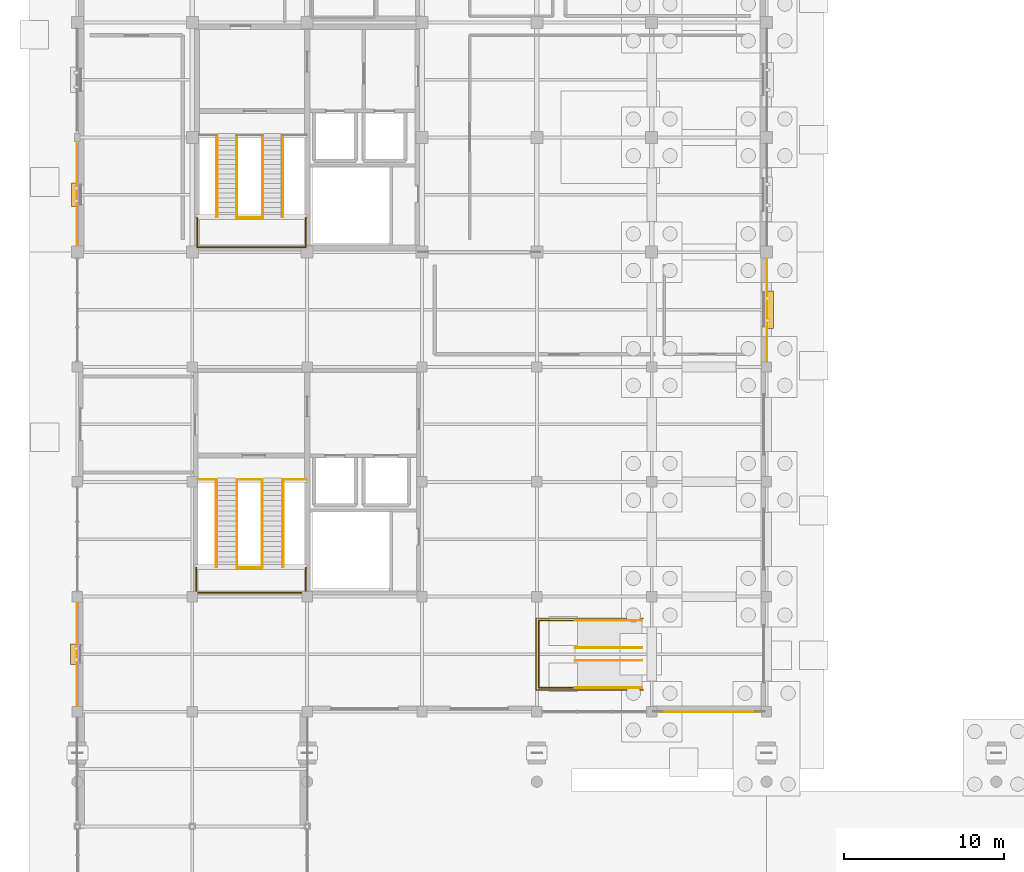
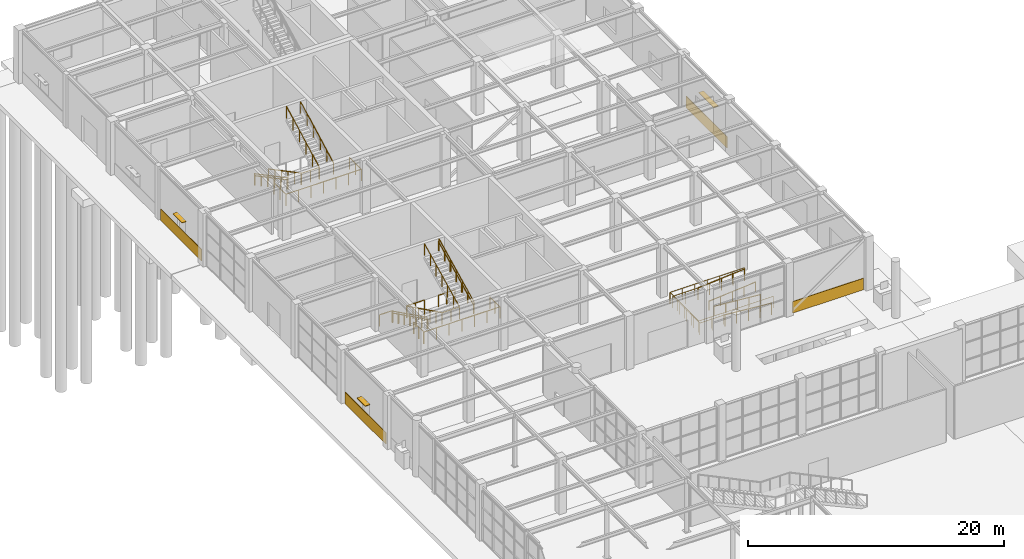
# One storey, part 72 of 75: 24 railings, 4 coverings, 3 shading devices.
"""IFC4 building model written with IfcOpenShell, lengths in metres."""

from ifc_helpers import new_model, si_unit, direction, frame, origin, origin_2d, place, context, subcontext, project, spatial, rectangle, circle, extrude, material, layer, layer_set, type_object, element, save


model = new_model("IFC4")

# Units and contexts
model_context = context("Model", 3, precision=1e-05, world=origin(), true_north=direction((0.0, 1.0)))
body_context = subcontext(model_context, "Body", "Model", "MODEL_VIEW")
ifc_project = project(units=[si_unit("LENGTHUNIT", "METRE"), si_unit("AREAUNIT", "SQUARE_METRE"), si_unit("VOLUMEUNIT", "CUBIC_METRE"), si_unit("PLANEANGLEUNIT", "RADIAN"), si_unit("MASSUNIT", "GRAM", prefix="KILO")], contexts=[model_context])

# Site, building, storey
site_placement = place(None, origin())
site = spatial("IfcSite", under=ifc_project, at=site_placement, CompositionType="ELEMENT")
building_placement = place(site_placement, origin())
building = spatial("IfcBuilding", under=site, at=building_placement, Name="Leyfeld Transit Interchange", CompositionType="ELEMENT")
storey_placement = place(building_placement, origin())
storey = spatial("IfcBuildingStorey", under=building, at=storey_placement, Name="L00", CompositionType="ELEMENT", Elevation=0.0)

# Coverings
ifc_material_1 = material(Name="Leitha limestone ashlar - Insulated", Category="masonry")
ifc_layer_1 = layer(ifc_material_1, 0.044921875, Name="Leitha limestone ashlar - Insulated")
ifc_layer_set_1 = layer_set([ifc_layer_1], Name="Leitha limestone ashlar - Insulated")
covering_type = type_object("IfcCoveringType", Name="COV-CLD-STN", PredefinedType="CLADDING", material=ifc_layer_set_1)
for number, where, z_axis, x_axis, name in (
    (1, (-0.02197265625, 68.39990234375, 0.0), (0.0, 0.0, 1.0), (0.0, 1.0, 0.0), "Limestone Plinth Cladding 002"),
    (2, (-0.02197265625, 97.199951171875, 0.0), (0.0, 0.0, 1.0), (0.0, 1.0, 0.0), "Limestone Plinth Cladding 003"),
    (3, (43.221923828125, 90.0, 0.0), (0.0, 0.0, 1.0), (0.0, -1.0, 0.0), "Limestone Plinth Cladding 011"),
    (4, (39.60009765625, 64.778076171875, 0.0), (0.0, 0.0, 1.0), (-1.0, 0.0, 0.0), "Limestone Plinth Cladding 012"),
):
    element("IfcCovering", number, at=place(storey_placement, frame(where, z_axis=z_axis, x_axis=x_axis)), inside=storey, type_object=covering_type, Name=name, PredefinedType="CLADDING", context=body_context, shape_type="SweptSolid", body=[
        extrude(rectangle(XDim=6.39990234375, YDim=0.044921875, at=origin_2d()), origin(), (0.0, 0.0, 1.0), 1.10009765625),
    ])

# Railings
ifc_material_2 = material(Name="Stainless steel EN 1.4404", Category="steel")
railing_type_1 = type_object("IfcRailingType", Name="RL-STR-GRD-1100", PredefinedType="GUARDRAIL", material=ifc_material_2)
railing_1_placement = place(storey_placement, frame((9.985107421875, 95.760009765625, 2.699951171875)))
element("IfcRailing", 5, at=railing_1_placement, inside=storey, type_object=railing_type_1, Name="Stair ST-01 L00 Half-Landing Inner Guard", PredefinedType="GUARDRAIL", context=body_context, shape_type="SweptSolid", body=[
    extrude(circle(Radius=0.02392578125, at=origin_2d()), frame((0.0, 0.0, 1.09619140625), z_axis=(1.0, 0.0, 0.0), x_axis=(0.0, 1.0, 0.0)), (0.0, 0.0, 1.0), 1.6298828125),
    extrude(circle(Radius=0.02099609375, at=origin_2d()), origin(), (0.0, 0.0, 1.0), 1.072021484375),
    extrude(circle(Radius=0.02099609375, at=origin_2d()), frame((0.81494140625, 0.0, 0.0)), (0.0, 0.0, 1.0), 1.072021484375),
    extrude(circle(Radius=0.02099609375, at=origin_2d()), frame((1.6298828125, 0.0, 0.0)), (0.0, 0.0, 1.0), 1.072021484375),
])
railing_2_placement = place(storey_placement, frame((7.5048828125, 95.760009765625, 2.699951171875)))
element("IfcRailing", 6, at=railing_2_placement, inside=storey, type_object=railing_type_1, Name="Stair ST-01 L00 Half-Landing Perimeter Guard", PredefinedType="GUARDRAIL", context=body_context, shape_type="SweptSolid", body=[
    extrude(circle(Radius=0.02392578125, at=origin_2d()), frame((0.0, 0.0, 1.09619140625), z_axis=(0.0, -1.0, 0.0), x_axis=(1.0, 0.0, 0.0)), (0.0, 0.0, 1.0), 1.85498046875),
    extrude(circle(Radius=0.02392578125, at=origin_2d()), frame((0.0, -1.85498046875, 1.09619140625), z_axis=(1.0, 0.0, 0.0), x_axis=(0.0, 1.0, 0.0)), (0.0, 0.0, 1.0), 6.815185546875),
    extrude(circle(Radius=0.02392578125, at=origin_2d()), frame((6.815185546875, -1.85498046875, 1.09619140625), z_axis=(0.0, 1.0, 0.0), x_axis=(-1.0, 0.0, 0.0)), (0.0, 0.0, 1.0), 1.85498046875),
    extrude(circle(Radius=0.02099609375, at=origin_2d()), origin(), (0.0, 0.0, 1.0), 1.072021484375),
    extrude(circle(Radius=0.02099609375, at=origin_2d()), frame((0.0, -0.927490234375, 0.0)), (0.0, 0.0, 1.0), 1.072021484375),
    extrude(circle(Radius=0.02099609375, at=origin_2d()), frame((0.0, -1.85498046875, 0.0)), (0.0, 0.0, 1.0), 1.072021484375),
    extrude(circle(Radius=0.02099609375, at=origin_2d()), frame((1.1357421875, -1.85498046875, 0.0)), (0.0, 0.0, 1.0), 1.072021484375),
    extrude(circle(Radius=0.02099609375, at=origin_2d()), frame((2.271728515625, -1.85498046875, 0.0)), (0.0, 0.0, 1.0), 1.072021484375),
    extrude(circle(Radius=0.02099609375, at=origin_2d()), frame((3.40771484375, -1.85498046875, 0.0)), (0.0, 0.0, 1.0), 1.072021484375),
    extrude(circle(Radius=0.02099609375, at=origin_2d()), frame((4.54345703125, -1.85498046875, 0.0)), (0.0, 0.0, 1.0), 1.072021484375),
    extrude(circle(Radius=0.02099609375, at=origin_2d()), frame((5.67919921875, -1.85498046875, 0.0)), (0.0, 0.0, 1.0), 1.072021484375),
    extrude(circle(Radius=0.02099609375, at=origin_2d()), frame((6.815185546875, -1.85498046875, 0.0)), (0.0, 0.0, 1.0), 1.072021484375),
    extrude(circle(Radius=0.02099609375, at=origin_2d()), frame((6.815185546875, -0.927490234375, 0.0)), (0.0, 0.0, 1.0), 1.072021484375),
    extrude(circle(Radius=0.02099609375, at=origin_2d()), frame((6.815185546875, 0.0, 0.0)), (0.0, 0.0, 1.0), 1.072021484375),
])
for number, where, name in (
    (7, (9.985107421875, 100.89990234375, 0.0), "Stair ST-01 L00 F1 Inner Guard"),
    (8, (8.715087890625, 100.89990234375, 0.0), "Stair ST-01 L00 F1 Outer Guard"),
):
    element("IfcRailing", number, at=place(storey_placement, frame(where)), inside=storey, type_object=railing_type_1, Name=name, PredefinedType="GUARDRAIL", context=body_context, shape_type="SweptSolid", body=[
        extrude(circle(Radius=0.02392578125, at=origin_2d()), frame((0.0, 0.0, 1.09619140625), z_axis=(0.0, -0.883785858079, 0.467891608238), x_axis=(1.0, 0.0, 0.0)), (0.0, 0.0, 1.0), 5.7705078125),
        extrude(circle(Radius=0.02099609375, at=origin_2d()), origin(), (0.0, 0.0, 1.0), 1.072021484375),
        extrude(circle(Radius=0.02099609375, at=origin_2d()), frame((0.0, -1.02001953125, 0.5400390625)), (0.0, 0.0, 1.0), 1.072021484375),
        extrude(circle(Radius=0.02099609375, at=origin_2d()), frame((0.0, -2.0400390625, 1.080078125)), (0.0, 0.0, 1.0), 1.072021484375),
        extrude(circle(Radius=0.02099609375, at=origin_2d()), frame((0.0, -3.059814453125, 1.619873046875)), (0.0, 0.0, 1.0), 1.072021484375),
        extrude(circle(Radius=0.02099609375, at=origin_2d()), frame((0.0, -4.079833984375, 2.159912109375)), (0.0, 0.0, 1.0), 1.072021484375),
        extrude(circle(Radius=0.02099609375, at=origin_2d()), frame((0.0, -5.099853515625, 2.699951171875)), (0.0, 0.0, 1.0), 1.072021484375),
    ])
for number, where, name in (
    (9, (11.614990234375, 95.800048828125, 2.699951171875), "Stair ST-01 L00 F2 Inner Guard"),
    (10, (12.885009765625, 95.800048828125, 2.699951171875), "Stair ST-01 L00 F2 Outer Guard"),
):
    element("IfcRailing", number, at=place(storey_placement, frame(where)), inside=storey, type_object=railing_type_1, Name=name, PredefinedType="GUARDRAIL", context=body_context, shape_type="SweptSolid", body=[
        extrude(circle(Radius=0.02392578125, at=origin_2d()), frame((0.0, 0.0, 1.09619140625), z_axis=(0.0, 0.883785858079, 0.467891608238), x_axis=(-1.0, 0.0, 0.0)), (0.0, 0.0, 1.0), 5.7705078125),
        extrude(circle(Radius=0.02099609375, at=origin_2d()), origin(), (0.0, 0.0, 1.0), 1.072021484375),
        extrude(circle(Radius=0.02099609375, at=origin_2d()), frame((0.0, 1.02001953125, 0.5400390625)), (0.0, 0.0, 1.0), 1.072021484375),
        extrude(circle(Radius=0.02099609375, at=origin_2d()), frame((0.0, 2.0400390625, 1.080078125)), (0.0, 0.0, 1.0), 1.072021484375),
        extrude(circle(Radius=0.02099609375, at=origin_2d()), frame((0.0, 3.059814453125, 1.619873046875)), (0.0, 0.0, 1.0), 1.072021484375),
        extrude(circle(Radius=0.02099609375, at=origin_2d()), frame((0.0, 4.079833984375, 2.159912109375)), (0.0, 0.0, 1.0), 1.072021484375),
        extrude(circle(Radius=0.02099609375, at=origin_2d()), frame((0.0, 5.099853515625, 2.699951171875)), (0.0, 0.0, 1.0), 1.072021484375),
    ])
railing_3_placement = place(storey_placement, frame((7.570068359375, 79.35009765625, 0.0)))
element("IfcRailing", 11, at=railing_3_placement, inside=storey, type_object=railing_type_1, Name="Stair ST-03 Landing Guard FLW L00", PredefinedType="GUARDRAIL", context=body_context, shape_type="SweptSolid", body=[
    extrude(circle(Radius=0.02392578125, at=origin_2d()), frame((0.0, 0.0, 1.09619140625), z_axis=(1.0, 0.0, 0.0), x_axis=(0.0, 1.0, 0.0)), (0.0, 0.0, 1.0), 1.1298828125),
    extrude(circle(Radius=0.02099609375, at=origin_2d()), origin(), (0.0, 0.0, 1.0), 1.072021484375),
    extrude(circle(Radius=0.02099609375, at=origin_2d()), frame((1.1298828125, 0.0, 0.0)), (0.0, 0.0, 1.0), 1.072021484375),
])
railing_4_placement = place(storey_placement, frame((10.0, 79.35009765625, 0.0)))
element("IfcRailing", 12, at=railing_4_placement, inside=storey, type_object=railing_type_1, Name="Stair ST-03 Landing Guard EYE L00", PredefinedType="GUARDRAIL", context=body_context, shape_type="SweptSolid", body=[
    extrude(circle(Radius=0.02392578125, at=origin_2d()), frame((0.0, 0.0, 1.09619140625), z_axis=(1.0, 0.0, 0.0), x_axis=(0.0, 1.0, 0.0)), (0.0, 0.0, 1.0), 1.60009765625),
    extrude(circle(Radius=0.02099609375, at=origin_2d()), origin(), (0.0, 0.0, 1.0), 1.072021484375),
    extrude(circle(Radius=0.02099609375, at=origin_2d()), frame((0.800048828125, 0.0, 0.0)), (0.0, 0.0, 1.0), 1.072021484375),
    extrude(circle(Radius=0.02099609375, at=origin_2d()), frame((1.60009765625, 0.0, 0.0)), (0.0, 0.0, 1.0), 1.072021484375),
])
railing_5_placement = place(storey_placement, frame((12.89990234375, 79.35009765625, 0.0)))
element("IfcRailing", 13, at=railing_5_placement, inside=storey, type_object=railing_type_1, Name="Stair ST-03 Landing Guard FLE L00", PredefinedType="GUARDRAIL", context=body_context, shape_type="SweptSolid", body=[
    extrude(circle(Radius=0.02392578125, at=origin_2d()), frame((0.0, 0.0, 1.09619140625), z_axis=(1.0, 0.0, 0.0), x_axis=(0.0, 1.0, 0.0)), (0.0, 0.0, 1.0), 1.4501953125),
    extrude(circle(Radius=0.02099609375, at=origin_2d()), origin(), (0.0, 0.0, 1.0), 1.072021484375),
    extrude(circle(Radius=0.02099609375, at=origin_2d()), frame((0.72509765625, 0.0, 0.0)), (0.0, 0.0, 1.0), 1.072021484375),
    extrude(circle(Radius=0.02099609375, at=origin_2d()), frame((1.4501953125, 0.0, 0.0)), (0.0, 0.0, 1.0), 1.072021484375),
])
railing_6_placement = place(storey_placement, frame((10.010009765625, 73.820068359375, 2.699951171875)))
element("IfcRailing", 14, at=railing_6_placement, inside=storey, type_object=railing_type_1, Name="Stair ST-03 L00 Half-Landing Inner Guard", PredefinedType="GUARDRAIL", context=body_context, shape_type="SweptSolid", body=[
    extrude(circle(Radius=0.02392578125, at=origin_2d()), frame((0.0, 0.0, 1.09619140625), z_axis=(1.0, 0.0, 0.0), x_axis=(0.0, 1.0, 0.0)), (0.0, 0.0, 1.0), 1.580078125),
    extrude(circle(Radius=0.02099609375, at=origin_2d()), origin(), (0.0, 0.0, 1.0), 1.072021484375),
    extrude(circle(Radius=0.02099609375, at=origin_2d()), frame((0.7900390625, 0.0, 0.0)), (0.0, 0.0, 1.0), 1.072021484375),
    extrude(circle(Radius=0.02099609375, at=origin_2d()), frame((1.580078125, 0.0, 0.0)), (0.0, 0.0, 1.0), 1.072021484375),
])
railing_7_placement = place(storey_placement, frame((7.455078125, 73.820068359375, 2.699951171875)))
element("IfcRailing", 15, at=railing_7_placement, inside=storey, type_object=railing_type_1, Name="Stair ST-03 L00 Half-Landing Perimeter Guard", PredefinedType="GUARDRAIL", context=body_context, shape_type="SweptSolid", body=[
    extrude(circle(Radius=0.02392578125, at=origin_2d()), frame((0.0, 0.0, 1.09619140625), z_axis=(0.0, -1.0, 0.0), x_axis=(1.0, 0.0, 0.0)), (0.0, 0.0, 1.0), 1.565185546875),
    extrude(circle(Radius=0.02392578125, at=origin_2d()), frame((0.0, -1.565185546875, 1.09619140625), z_axis=(1.0, 0.0, 0.0), x_axis=(0.0, 1.0, 0.0)), (0.0, 0.0, 1.0), 6.864990234375),
    extrude(circle(Radius=0.02392578125, at=origin_2d()), frame((6.864990234375, -1.565185546875, 1.09619140625), z_axis=(0.0, 1.0, 0.0), x_axis=(-1.0, 0.0, 0.0)), (0.0, 0.0, 1.0), 1.565185546875),
    extrude(circle(Radius=0.02099609375, at=origin_2d()), origin(), (0.0, 0.0, 1.0), 1.072021484375),
    extrude(circle(Radius=0.02099609375, at=origin_2d()), frame((0.0, -0.78271484375, 0.0)), (0.0, 0.0, 1.0), 1.072021484375),
    extrude(circle(Radius=0.02099609375, at=origin_2d()), frame((0.0, -1.565185546875, 0.0)), (0.0, 0.0, 1.0), 1.072021484375),
    extrude(circle(Radius=0.02099609375, at=origin_2d()), frame((1.14404296875, -1.565185546875, 0.0)), (0.0, 0.0, 1.0), 1.072021484375),
    extrude(circle(Radius=0.02099609375, at=origin_2d()), frame((2.288330078125, -1.565185546875, 0.0)), (0.0, 0.0, 1.0), 1.072021484375),
    extrude(circle(Radius=0.02099609375, at=origin_2d()), frame((3.4326171875, -1.565185546875, 0.0)), (0.0, 0.0, 1.0), 1.072021484375),
    extrude(circle(Radius=0.02099609375, at=origin_2d()), frame((4.57666015625, -1.565185546875, 0.0)), (0.0, 0.0, 1.0), 1.072021484375),
    extrude(circle(Radius=0.02099609375, at=origin_2d()), frame((5.720703125, -1.565185546875, 0.0)), (0.0, 0.0, 1.0), 1.072021484375),
    extrude(circle(Radius=0.02099609375, at=origin_2d()), frame((6.864990234375, -1.565185546875, 0.0)), (0.0, 0.0, 1.0), 1.072021484375),
    extrude(circle(Radius=0.02099609375, at=origin_2d()), frame((6.864990234375, -0.78271484375, 0.0)), (0.0, 0.0, 1.0), 1.072021484375),
    extrude(circle(Radius=0.02099609375, at=origin_2d()), frame((6.864990234375, 0.0, 0.0)), (0.0, 0.0, 1.0), 1.072021484375),
])
for number, where, name in (
    (16, (10.010009765625, 79.300048828125, 0.0), "Stair ST-03 L00 F1 Inner Guard"),
    (17, (8.68994140625, 79.300048828125, 0.0), "Stair ST-03 L00 F1 Outer Guard"),
):
    element("IfcRailing", number, at=place(storey_placement, frame(where)), inside=storey, type_object=railing_type_1, Name=name, PredefinedType="GUARDRAIL", context=body_context, shape_type="SweptSolid", body=[
        extrude(circle(Radius=0.02392578125, at=origin_2d()), frame((0.0, 0.0, 1.09619140625), z_axis=(0.0, -0.895741871369, 0.444574515549), x_axis=(1.0, 0.0, 0.0)), (0.0, 0.0, 1.0), 6.072998046875),
        extrude(circle(Radius=0.02099609375, at=origin_2d()), origin(), (0.0, 0.0, 1.0), 1.072021484375),
        extrude(circle(Radius=0.02099609375, at=origin_2d()), frame((0.0, -0.90673828125, 0.449951171875)), (0.0, 0.0, 1.0), 1.072021484375),
        extrude(circle(Radius=0.02099609375, at=origin_2d()), frame((0.0, -1.813232421875, 0.89990234375)), (0.0, 0.0, 1.0), 1.072021484375),
        extrude(circle(Radius=0.02099609375, at=origin_2d()), frame((0.0, -2.719970703125, 1.35009765625)), (0.0, 0.0, 1.0), 1.072021484375),
        extrude(circle(Radius=0.02099609375, at=origin_2d()), frame((0.0, -3.626708984375, 1.800048828125)), (0.0, 0.0, 1.0), 1.072021484375),
        extrude(circle(Radius=0.02099609375, at=origin_2d()), frame((0.0, -4.533203125, 2.25)), (0.0, 0.0, 1.0), 1.072021484375),
        extrude(circle(Radius=0.02099609375, at=origin_2d()), frame((0.0, -5.43994140625, 2.699951171875)), (0.0, 0.0, 1.0), 1.072021484375),
    ])
for number, where, name in (
    (18, (11.590087890625, 73.860107421875, 2.699951171875), "Stair ST-03 L00 F2 Inner Guard"),
    (19, (12.909912109375, 73.860107421875, 2.699951171875), "Stair ST-03 L00 F2 Outer Guard"),
):
    element("IfcRailing", number, at=place(storey_placement, frame(where)), inside=storey, type_object=railing_type_1, Name=name, PredefinedType="GUARDRAIL", context=body_context, shape_type="SweptSolid", body=[
        extrude(circle(Radius=0.02392578125, at=origin_2d()), frame((0.0, 0.0, 1.09619140625), z_axis=(0.0, 0.895741871369, 0.444574515549), x_axis=(-1.0, 0.0, 0.0)), (0.0, 0.0, 1.0), 6.072998046875),
        extrude(circle(Radius=0.02099609375, at=origin_2d()), origin(), (0.0, 0.0, 1.0), 1.072021484375),
        extrude(circle(Radius=0.02099609375, at=origin_2d()), frame((0.0, 0.90673828125, 0.449951171875)), (0.0, 0.0, 1.0), 1.072021484375),
        extrude(circle(Radius=0.02099609375, at=origin_2d()), frame((0.0, 1.813232421875, 0.89990234375)), (0.0, 0.0, 1.0), 1.072021484375),
        extrude(circle(Radius=0.02099609375, at=origin_2d()), frame((0.0, 2.719970703125, 1.35009765625)), (0.0, 0.0, 1.0), 1.072021484375),
        extrude(circle(Radius=0.02099609375, at=origin_2d()), frame((0.0, 3.626708984375, 1.800048828125)), (0.0, 0.0, 1.0), 1.072021484375),
        extrude(circle(Radius=0.02099609375, at=origin_2d()), frame((0.0, 4.533203125, 2.25)), (0.0, 0.0, 1.0), 1.072021484375),
        extrude(circle(Radius=0.02099609375, at=origin_2d()), frame((0.0, 5.43994140625, 2.699951171875)), (0.0, 0.0, 1.0), 1.072021484375),
    ])
railing_8_placement = place(storey_placement, frame((35.47998046875, 66.14990234375, 0.0)))
element("IfcRailing", 20, at=railing_8_placement, inside=storey, type_object=railing_type_1, Name="Cycle Ramp Pocket Guard L00", PredefinedType="GUARDRAIL", context=body_context, shape_type="SweptSolid", body=[
    extrude(circle(Radius=0.02392578125, at=origin_2d()), frame((0.0, 0.0, 1.09619140625), z_axis=(-1.0, 0.0, 0.0), x_axis=(0.0, -1.0, 0.0)), (0.0, 0.0, 1.0), 6.72998046875),
    extrude(circle(Radius=0.02392578125, at=origin_2d()), frame((-6.72998046875, 0.0, 1.09619140625), z_axis=(0.0, 1.0, 0.0), x_axis=(-1.0, 0.0, 0.0)), (0.0, 0.0, 1.0), 4.5),
    extrude(circle(Radius=0.02392578125, at=origin_2d()), frame((-6.72998046875, 4.5, 1.09619140625), z_axis=(1.0, 0.0, 0.0), x_axis=(0.0, 1.0, 0.0)), (0.0, 0.0, 1.0), 6.72998046875),
    extrude(circle(Radius=0.02099609375, at=origin_2d()), origin(), (0.0, 0.0, 1.0), 1.072021484375),
    extrude(circle(Radius=0.02099609375, at=origin_2d()), frame((-1.12158203125, 0.0, 0.0)), (0.0, 0.0, 1.0), 1.072021484375),
    extrude(circle(Radius=0.02099609375, at=origin_2d()), frame((-2.243408203125, 0.0, 0.0)), (0.0, 0.0, 1.0), 1.072021484375),
    extrude(circle(Radius=0.02099609375, at=origin_2d()), frame((-3.364990234375, 0.0, 0.0)), (0.0, 0.0, 1.0), 1.072021484375),
    extrude(circle(Radius=0.02099609375, at=origin_2d()), frame((-4.486572265625, 0.0, 0.0)), (0.0, 0.0, 1.0), 1.072021484375),
    extrude(circle(Radius=0.02099609375, at=origin_2d()), frame((-5.6083984375, 0.0, 0.0)), (0.0, 0.0, 1.0), 1.072021484375),
    extrude(circle(Radius=0.02099609375, at=origin_2d()), frame((-6.72998046875, 0.0, 0.0)), (0.0, 0.0, 1.0), 1.072021484375),
    extrude(circle(Radius=0.02099609375, at=origin_2d()), frame((-6.72998046875, 1.125, 0.0)), (0.0, 0.0, 1.0), 1.072021484375),
    extrude(circle(Radius=0.02099609375, at=origin_2d()), frame((-6.72998046875, 2.25, 0.0)), (0.0, 0.0, 1.0), 1.072021484375),
    extrude(circle(Radius=0.02099609375, at=origin_2d()), frame((-6.72998046875, 3.375, 0.0)), (0.0, 0.0, 1.0), 1.072021484375),
    extrude(circle(Radius=0.02099609375, at=origin_2d()), frame((-6.72998046875, 4.5, 0.0)), (0.0, 0.0, 1.0), 1.072021484375),
    extrude(circle(Radius=0.02099609375, at=origin_2d()), frame((-5.6083984375, 4.5, 0.0)), (0.0, 0.0, 1.0), 1.072021484375),
    extrude(circle(Radius=0.02099609375, at=origin_2d()), frame((-4.486572265625, 4.5, 0.0)), (0.0, 0.0, 1.0), 1.072021484375),
    extrude(circle(Radius=0.02099609375, at=origin_2d()), frame((-3.364990234375, 4.5, 0.0)), (0.0, 0.0, 1.0), 1.072021484375),
    extrude(circle(Radius=0.02099609375, at=origin_2d()), frame((-2.243408203125, 4.5, 0.0)), (0.0, 0.0, 1.0), 1.072021484375),
    extrude(circle(Radius=0.02099609375, at=origin_2d()), frame((-1.12158203125, 4.5, 0.0)), (0.0, 0.0, 1.0), 1.072021484375),
    extrude(circle(Radius=0.02099609375, at=origin_2d()), frame((0.0, 4.5, 0.0)), (0.0, 0.0, 1.0), 1.072021484375),
])
railing_9_placement = place(storey_placement, frame((35.39990234375, 66.2900390625, -0.699951171875)))
element("IfcRailing", 21, at=railing_9_placement, inside=storey, type_object=railing_type_1, Name="Cycle Ramp L00 F1 Outer Guard", PredefinedType="GUARDRAIL", context=body_context, shape_type="SweptSolid", body=[
    extrude(circle(Radius=0.02392578125, at=origin_2d()), frame((0.0, 0.0, 1.09619140625), z_axis=(-0.996548554241, 0.0, 0.083011921073), x_axis=(0.0, -1.0, 0.0)), (0.0, 0.0, 1.0), 4.214599609375),
    extrude(circle(Radius=0.02099609375, at=origin_2d()), origin(), (0.0, 0.0, 1.0), 1.072021484375),
    extrude(circle(Radius=0.02099609375, at=origin_2d()), frame((-1.050048828125, 0.0, 0.08740234375)), (0.0, 0.0, 1.0), 1.072021484375),
    extrude(circle(Radius=0.02099609375, at=origin_2d()), frame((-2.10009765625, 0.0, 0.1748046875)), (0.0, 0.0, 1.0), 1.072021484375),
    extrude(circle(Radius=0.02099609375, at=origin_2d()), frame((-3.14990234375, 0.0, 0.262451171875)), (0.0, 0.0, 1.0), 1.072021484375),
    extrude(circle(Radius=0.02099609375, at=origin_2d()), frame((-4.199951171875, 0.0, 0.349853515625)), (0.0, 0.0, 1.0), 1.072021484375),
])
railing_10_placement = place(storey_placement, frame((31.199951171875, 70.510009765625, -0.35009765625)))
element("IfcRailing", 22, at=railing_10_placement, inside=storey, type_object=railing_type_1, Name="Cycle Ramp L00 F2 Outer Guard", PredefinedType="GUARDRAIL", context=body_context, shape_type="SweptSolid", body=[
    extrude(circle(Radius=0.02392578125, at=origin_2d()), frame((0.0, 0.0, 1.09619140625), z_axis=(0.996543760423, 0.0, 0.083069450238), x_axis=(0.0, 1.0, 0.0)), (0.0, 0.0, 1.0), 4.214599609375),
    extrude(circle(Radius=0.02099609375, at=origin_2d()), origin(), (0.0, 0.0, 1.0), 1.072021484375),
    extrude(circle(Radius=0.02099609375, at=origin_2d()), frame((1.050048828125, 0.0, 0.08740234375)), (0.0, 0.0, 1.0), 1.072021484375),
    extrude(circle(Radius=0.02099609375, at=origin_2d()), frame((2.10009765625, 0.0, 0.175048828125)), (0.0, 0.0, 1.0), 1.072021484375),
    extrude(circle(Radius=0.02099609375, at=origin_2d()), frame((3.14990234375, 0.0, 0.2626953125)), (0.0, 0.0, 1.0), 1.072021484375),
    extrude(circle(Radius=0.02099609375, at=origin_2d()), frame((4.199951171875, 0.0, 0.35009765625)), (0.0, 0.0, 1.0), 1.072021484375),
])
railing_11_placement = place(storey_placement, frame((31.199951171875, 66.2900390625, -0.35009765625)))
element("IfcRailing", 23, at=railing_11_placement, inside=storey, type_object=railing_type_1, Name="Cycle Ramp L00 Half-Landing Guard", PredefinedType="GUARDRAIL", context=body_context, shape_type="SweptSolid", body=[
    extrude(circle(Radius=0.02392578125, at=origin_2d()), frame((0.0, 0.0, 1.09619140625), z_axis=(-1.0, 0.0, 0.0), x_axis=(0.0, -1.0, 0.0)), (0.0, 0.0, 1.0), 2.280029296875),
    extrude(circle(Radius=0.02392578125, at=origin_2d()), frame((-2.280029296875, 0.0, 1.09619140625), z_axis=(0.0, 1.0, 0.0), x_axis=(-1.0, 0.0, 0.0)), (0.0, 0.0, 1.0), 4.219970703125),
    extrude(circle(Radius=0.02392578125, at=origin_2d()), frame((-2.280029296875, 4.219970703125, 1.09619140625), z_axis=(1.0, 0.0, 0.0), x_axis=(0.0, 1.0, 0.0)), (0.0, 0.0, 1.0), 2.280029296875),
    extrude(circle(Radius=0.02099609375, at=origin_2d()), origin(), (0.0, 0.0, 1.0), 1.072021484375),
    extrude(circle(Radius=0.02099609375, at=origin_2d()), frame((-1.14013671875, 0.0, 0.0)), (0.0, 0.0, 1.0), 1.072021484375),
    extrude(circle(Radius=0.02099609375, at=origin_2d()), frame((-2.280029296875, 0.0, 0.0)), (0.0, 0.0, 1.0), 1.072021484375),
    extrude(circle(Radius=0.02099609375, at=origin_2d()), frame((-2.280029296875, 1.054931640625, 0.0)), (0.0, 0.0, 1.0), 1.072021484375),
    extrude(circle(Radius=0.02099609375, at=origin_2d()), frame((-2.280029296875, 2.10986328125, 0.0)), (0.0, 0.0, 1.0), 1.072021484375),
    extrude(circle(Radius=0.02099609375, at=origin_2d()), frame((-2.280029296875, 3.1650390625, 0.0)), (0.0, 0.0, 1.0), 1.072021484375),
    extrude(circle(Radius=0.02099609375, at=origin_2d()), frame((-2.280029296875, 4.219970703125, 0.0)), (0.0, 0.0, 1.0), 1.072021484375),
    extrude(circle(Radius=0.02099609375, at=origin_2d()), frame((-1.14013671875, 4.219970703125, 0.0)), (0.0, 0.0, 1.0), 1.072021484375),
    extrude(circle(Radius=0.02099609375, at=origin_2d()), frame((0.0, 4.219970703125, 0.0)), (0.0, 0.0, 1.0), 1.072021484375),
])
railing_type_2 = type_object("IfcRailingType", Name="RL-STR-HND-900", PredefinedType="HANDRAIL", material=ifc_material_2)
railing_12_placement = place(storey_placement, frame((8.77490234375, 100.89990234375, 0.0)))
element("IfcRailing", 24, at=railing_12_placement, inside=storey, type_object=railing_type_2, Name="Stair ST-01 L00 F1 Handrail", PredefinedType="HANDRAIL", context=body_context, shape_type="SweptSolid", body=[
    extrude(circle(Radius=0.02392578125, at=origin_2d()), frame((0.0, 0.0, 0.8759765625), z_axis=(0.0, -0.883785858079, 0.467891608238), x_axis=(1.0, 0.0, 0.0)), (0.0, 0.0, 1.0), 5.7705078125),
    extrude(circle(Radius=0.02099609375, at=origin_2d()), origin(), (0.0, 0.0, 1.0), 0.851806640625),
    extrude(circle(Radius=0.02099609375, at=origin_2d()), frame((0.0, -1.02001953125, 0.5400390625)), (0.0, 0.0, 1.0), 0.851806640625),
    extrude(circle(Radius=0.02099609375, at=origin_2d()), frame((0.0, -2.0400390625, 1.080078125)), (0.0, 0.0, 1.0), 0.851806640625),
    extrude(circle(Radius=0.02099609375, at=origin_2d()), frame((0.0, -3.059814453125, 1.619873046875)), (0.0, 0.0, 1.0), 0.851806640625),
    extrude(circle(Radius=0.02099609375, at=origin_2d()), frame((0.0, -4.079833984375, 2.159912109375)), (0.0, 0.0, 1.0), 0.851806640625),
    extrude(circle(Radius=0.02099609375, at=origin_2d()), frame((0.0, -5.099853515625, 2.699951171875)), (0.0, 0.0, 1.0), 0.851806640625),
])
railing_13_placement = place(storey_placement, frame((8.75, 79.300048828125, 0.0)))
element("IfcRailing", 25, at=railing_13_placement, inside=storey, type_object=railing_type_2, Name="Stair ST-03 L00 F1 Handrail", PredefinedType="HANDRAIL", context=body_context, shape_type="SweptSolid", body=[
    extrude(circle(Radius=0.02392578125, at=origin_2d()), frame((0.0, 0.0, 0.8759765625), z_axis=(0.0, -0.895741871369, 0.444574515549), x_axis=(1.0, 0.0, 0.0)), (0.0, 0.0, 1.0), 6.072998046875),
    extrude(circle(Radius=0.02099609375, at=origin_2d()), origin(), (0.0, 0.0, 1.0), 0.851806640625),
    extrude(circle(Radius=0.02099609375, at=origin_2d()), frame((0.0, -0.90673828125, 0.449951171875)), (0.0, 0.0, 1.0), 0.851806640625),
    extrude(circle(Radius=0.02099609375, at=origin_2d()), frame((0.0, -1.813232421875, 0.89990234375)), (0.0, 0.0, 1.0), 0.851806640625),
    extrude(circle(Radius=0.02099609375, at=origin_2d()), frame((0.0, -2.719970703125, 1.35009765625)), (0.0, 0.0, 1.0), 0.851806640625),
    extrude(circle(Radius=0.02099609375, at=origin_2d()), frame((0.0, -3.626708984375, 1.800048828125)), (0.0, 0.0, 1.0), 0.851806640625),
    extrude(circle(Radius=0.02099609375, at=origin_2d()), frame((0.0, -4.533203125, 2.25)), (0.0, 0.0, 1.0), 0.851806640625),
    extrude(circle(Radius=0.02099609375, at=origin_2d()), frame((0.0, -5.43994140625, 2.699951171875)), (0.0, 0.0, 1.0), 0.851806640625),
])
railing_14_placement = place(storey_placement, frame((12.85009765625, 73.860107421875, 2.699951171875)))
element("IfcRailing", 26, at=railing_14_placement, inside=storey, type_object=railing_type_2, Name="Stair ST-03 L00 F2 Handrail", PredefinedType="HANDRAIL", context=body_context, shape_type="SweptSolid", body=[
    extrude(circle(Radius=0.02392578125, at=origin_2d()), frame((0.0, 0.0, 0.8759765625), z_axis=(0.0, 0.895741871369, 0.444574515549), x_axis=(-1.0, 0.0, 0.0)), (0.0, 0.0, 1.0), 6.072998046875),
    extrude(circle(Radius=0.02099609375, at=origin_2d()), origin(), (0.0, 0.0, 1.0), 0.851806640625),
    extrude(circle(Radius=0.02099609375, at=origin_2d()), frame((0.0, 0.90673828125, 0.449951171875)), (0.0, 0.0, 1.0), 0.851806640625),
    extrude(circle(Radius=0.02099609375, at=origin_2d()), frame((0.0, 1.813232421875, 0.89990234375)), (0.0, 0.0, 1.0), 0.851806640625),
    extrude(circle(Radius=0.02099609375, at=origin_2d()), frame((0.0, 2.719970703125, 1.35009765625)), (0.0, 0.0, 1.0), 0.851806640625),
    extrude(circle(Radius=0.02099609375, at=origin_2d()), frame((0.0, 3.626708984375, 1.800048828125)), (0.0, 0.0, 1.0), 0.851806640625),
    extrude(circle(Radius=0.02099609375, at=origin_2d()), frame((0.0, 4.533203125, 2.25)), (0.0, 0.0, 1.0), 0.851806640625),
    extrude(circle(Radius=0.02099609375, at=origin_2d()), frame((0.0, 5.43994140625, 2.699951171875)), (0.0, 0.0, 1.0), 0.851806640625),
])
railing_15_placement = place(storey_placement, frame((35.39990234375, 68.0, -0.699951171875)))
element("IfcRailing", 27, at=railing_15_placement, inside=storey, type_object=railing_type_2, Name="Cycle Ramp L00 F1 Handrail", PredefinedType="HANDRAIL", context=body_context, shape_type="SweptSolid", body=[
    extrude(circle(Radius=0.02392578125, at=origin_2d()), frame((0.0, 0.0, 0.8759765625), z_axis=(-0.996548554241, 0.0, 0.083011921073), x_axis=(0.0, -1.0, 0.0)), (0.0, 0.0, 1.0), 4.214599609375),
    extrude(circle(Radius=0.02099609375, at=origin_2d()), origin(), (0.0, 0.0, 1.0), 0.851806640625),
    extrude(circle(Radius=0.02099609375, at=origin_2d()), frame((-1.050048828125, 0.0, 0.08740234375)), (0.0, 0.0, 1.0), 0.851806640625),
    extrude(circle(Radius=0.02099609375, at=origin_2d()), frame((-2.10009765625, 0.0, 0.1748046875)), (0.0, 0.0, 1.0), 0.851806640625),
    extrude(circle(Radius=0.02099609375, at=origin_2d()), frame((-3.14990234375, 0.0, 0.262451171875)), (0.0, 0.0, 1.0), 0.851806640625),
    extrude(circle(Radius=0.02099609375, at=origin_2d()), frame((-4.199951171875, 0.0, 0.349853515625)), (0.0, 0.0, 1.0), 0.851806640625),
])
railing_16_placement = place(storey_placement, frame((31.199951171875, 68.800048828125, -0.35009765625)))
element("IfcRailing", 28, at=railing_16_placement, inside=storey, type_object=railing_type_2, Name="Cycle Ramp L00 F2 Handrail", PredefinedType="HANDRAIL", context=body_context, shape_type="SweptSolid", body=[
    extrude(circle(Radius=0.02392578125, at=origin_2d()), frame((0.0, 0.0, 0.8759765625), z_axis=(0.996543760423, 0.0, 0.083069450238), x_axis=(0.0, 1.0, 0.0)), (0.0, 0.0, 1.0), 4.214599609375),
    extrude(circle(Radius=0.02099609375, at=origin_2d()), origin(), (0.0, 0.0, 1.0), 0.851806640625),
    extrude(circle(Radius=0.02099609375, at=origin_2d()), frame((1.050048828125, 0.0, 0.08740234375)), (0.0, 0.0, 1.0), 0.851806640625),
    extrude(circle(Radius=0.02099609375, at=origin_2d()), frame((2.10009765625, 0.0, 0.175048828125)), (0.0, 0.0, 1.0), 0.851806640625),
    extrude(circle(Radius=0.02099609375, at=origin_2d()), frame((3.14990234375, 0.0, 0.2626953125)), (0.0, 0.0, 1.0), 0.851806640625),
    extrude(circle(Radius=0.02099609375, at=origin_2d()), frame((4.199951171875, 0.0, 0.35009765625)), (0.0, 0.0, 1.0), 0.851806640625),
])

# Shading devices
ifc_material_3 = material(Name="Anodised aluminium EN AW-6060 T66", Category="aluminium")
ifc_layer_2 = layer(ifc_material_3, 0.054931640625, Name="Anodised aluminium EN AW-6060 T66")
ifc_layer_set_2 = layer_set([ifc_layer_2], Name="Anodised aluminium EN AW-6060 T66")
shading_device_type_1 = type_object("IfcShadingDeviceType", Name="SHD-ALU-380", PredefinedType="JALOUSIE", material=ifc_layer_set_2)
shading_device_1_placement = place(storey_placement, frame((-0.169921875, 97.199951171875, 2.22265625), z_axis=(0.0, 0.0, 1.0), x_axis=(0.0, 1.0, 0.0)))
element("IfcShadingDevice", 29, at=shading_device_1_placement, inside=storey, type_object=shading_device_type_1, Name="Prairie Solar Shading Fin 002", PredefinedType="JALOUSIE", context=body_context, shape_type="SweptSolid", body=[
    extrude(rectangle(XDim=1.449951171875, YDim=0.3798828125, at=origin_2d()), origin(), (0.0, 0.0, 1.0), 0.054931640625),
])
ifc_material_4 = material(Name="Austrian larch glulam GL28h", Category="wood")
ifc_layer_3 = layer(ifc_material_4, 0.06494140625, Name="Austrian larch glulam GL28h")
ifc_layer_set_3 = layer_set([ifc_layer_3], Name="Austrian larch glulam GL28h")
shading_device_type_2 = type_object("IfcShadingDeviceType", Name="SHD-LRC-450", PredefinedType="JALOUSIE", material=ifc_layer_set_3)
shading_device_2_placement = place(storey_placement, frame((-0.205078125, 68.39990234375, 2.16748046875), z_axis=(0.0, 0.0, 1.0), x_axis=(0.0, 1.0, 0.0)))
element("IfcShadingDevice", 30, at=shading_device_2_placement, inside=storey, type_object=shading_device_type_2, Name="Prairie Solar Shading Fin 001", PredefinedType="JALOUSIE", context=body_context, shape_type="SweptSolid", body=[
    extrude(rectangle(XDim=1.300048828125, YDim=0.449951171875, at=origin_2d()), origin(), (0.0, 0.0, 1.0), 0.06494140625),
])
shading_device_3_placement = place(storey_placement, frame((43.405029296875, 90.0, 2.617431640625), z_axis=(0.0, 0.0, 1.0), x_axis=(0.0, -1.0, 0.0)))
element("IfcShadingDevice", 31, at=shading_device_3_placement, inside=storey, type_object=shading_device_type_2, Name="Prairie Solar Shading Fin 007", PredefinedType="JALOUSIE", context=body_context, shape_type="SweptSolid", body=[
    extrude(rectangle(XDim=2.35009765625, YDim=0.449951171875, at=origin_2d()), origin(), (0.0, 0.0, 1.0), 0.06494140625),
])

save(model, "model.ifc")
